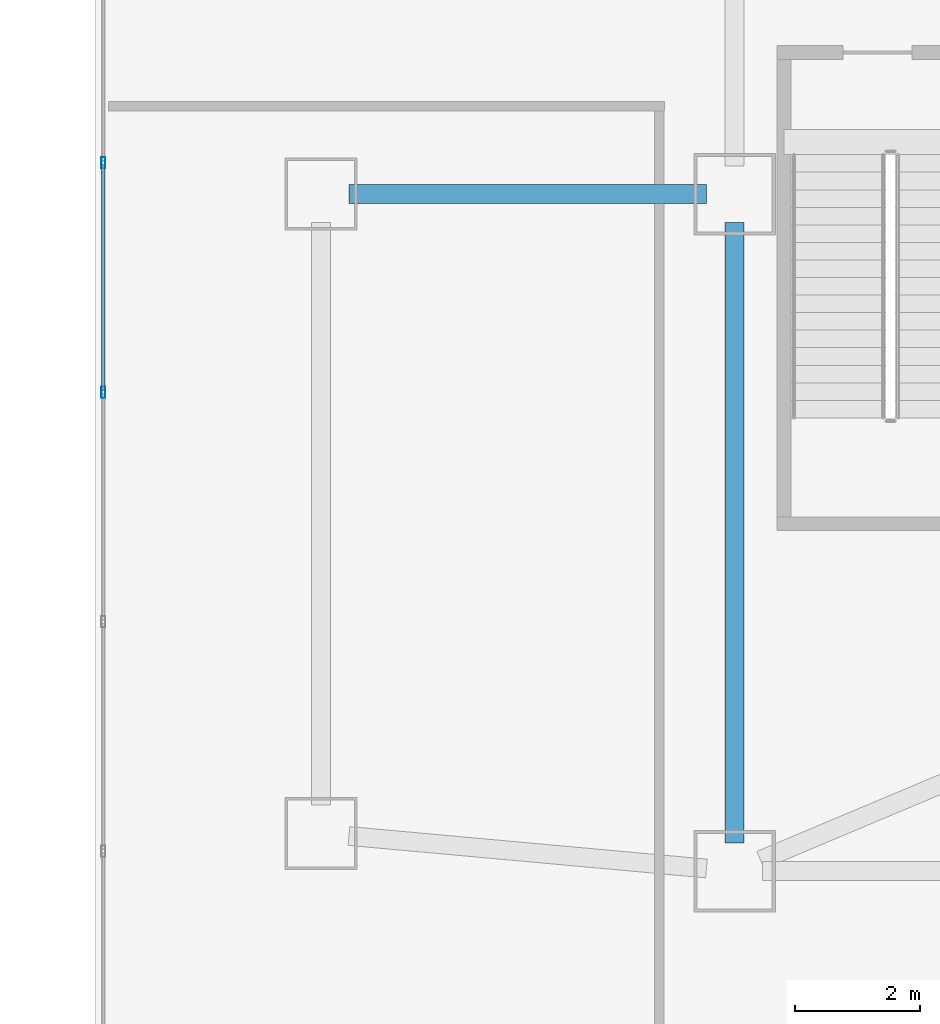
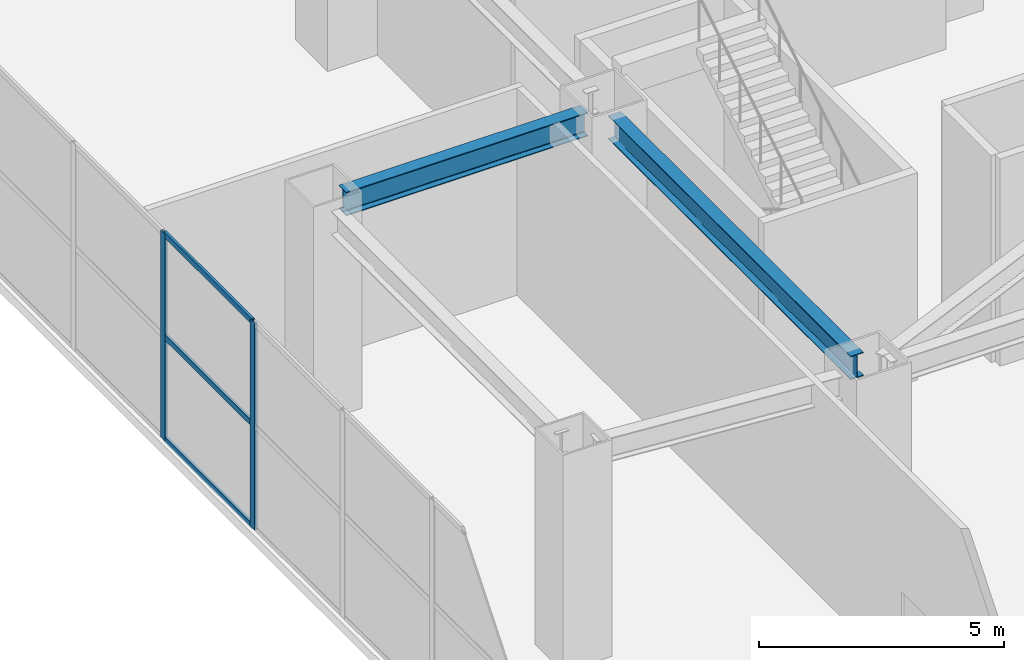
# One storey, part 8 of 37: 5 members, 2 beams, 1 element without a shape of its own.
"""IFC4 building model written with IfcOpenShell, lengths in metres."""

from ifc_helpers import new_model, si_unit, direction, frame, origin, origin_2d, place, context, subcontext, project, spatial, hollow_rectangle, i_section, extrude, material, layer, layer_set, material_profile, profile_set, type_object, element, aggregate, save


model = new_model("IFC4")

# Units and contexts
model_context = context("Model", 3, precision=1e-05, world=origin(), true_north=direction((0.0, 1.0)))
body_context = subcontext(model_context, "Body", "Model", "MODEL_VIEW")
ifc_project = project(units=[si_unit("LENGTHUNIT", "METRE"), si_unit("AREAUNIT", "SQUARE_METRE"), si_unit("VOLUMEUNIT", "CUBIC_METRE"), si_unit("PLANEANGLEUNIT", "RADIAN"), si_unit("MASSUNIT", "GRAM", prefix="KILO")], contexts=[model_context])

# Site, building, storey
site_placement = place(None, origin())
site = spatial("IfcSite", under=ifc_project, at=site_placement, CompositionType="ELEMENT")
building_placement = place(site_placement, origin())
building = spatial("IfcBuilding", under=site, at=building_placement, Name="Haolan Belvedere Tower", CompositionType="ELEMENT")
storey_placement = place(building_placement, frame((0.0, 0.0, 10.199951171875)))
storey = spatial("IfcBuildingStorey", under=building, at=storey_placement, Name="L02", CompositionType="ELEMENT", Elevation=10.199951171875)

# Beams
ifc_material_1 = material(Name="Steel Q355B", Category="steel")
ifc_material_profile_1 = material_profile(ifc_material_1, i_section(OverallWidth=0.300048828125, OverallDepth=0.587890625, WebThickness=0.011962890625, FlangeThickness=0.02001953125, FilletRadius=0.028076171875, at=origin_2d()), Name="Steel Q355B")
ifc_profile_set_1 = profile_set([ifc_material_profile_1], Name="Steel Q355B")
beam_type = type_object("IfcBeamType", Name="BM-HM588x300x12x20", PredefinedType="SPANDREL", material=ifc_profile_set_1)
beam_1_placement = place(storey_placement, frame((12.60009765625, 17.25, 4.865966796875), z_axis=(0.0, 1.0, 0.0), x_axis=(-1.0, 0.0, 0.0)))
element("IfcBeam", 1, at=beam_1_placement, inside=storey, type_object=beam_type, Name="L02 spandrel girder MC-T2-SW-MC-T2-MW", PredefinedType="SPANDREL", context=body_context, shape_type="SweptSolid", body=[
    extrude(i_section(OverallWidth=0.300048828125, OverallDepth=0.587890625, WebThickness=0.011962890625, FlangeThickness=0.02001953125, FilletRadius=0.028076171875, at=origin_2d()), origin(), (0.0, 0.0, 1.0), 9.89990234375),
])
beam_2_placement = place(storey_placement, frame((6.449951171875, 27.60009765625, 4.865966796875), z_axis=(1.0, 0.0, 0.0), x_axis=(0.0, 1.0, 0.0)))
element("IfcBeam", 2, at=beam_2_placement, inside=storey, type_object=beam_type, Name="L02 spandrel girder MC-T1-NW-MC-T2-MW", PredefinedType="SPANDREL", context=body_context, shape_type="SweptSolid", body=[
    extrude(i_section(OverallWidth=0.300048828125, OverallDepth=0.587890625, WebThickness=0.011962890625, FlangeThickness=0.02001953125, FilletRadius=0.028076171875, at=origin_2d()), origin(), (0.0, 0.0, 1.0), 5.699951171875),
])

# Curtain wall, members
ifc_material_2 = material(Name="Anodised champagne-silver aluminium 6063-T6 and Low-E glass", Category="aluminium")
ifc_layer = layer(ifc_material_2, 0.179931640625, Name="Anodised champagne-silver aluminium 6063-T6 and Low-E glass")
ifc_layer_set = layer_set([ifc_layer], Name="Anodised champagne-silver aluminium 6063-T6 and Low-E glass")
curtain_wall_type = type_object("IfcCurtainWallType", Name="CW-SYS-01", PredefinedType="NOTDEFINED", material=ifc_layer_set)
curtain_wall_placement = place(storey_placement, origin())
curtain_wall = element("IfcCurtainWall", 3, at=curtain_wall_placement, inside=storey, type_object=curtain_wall_type, Name="L02 CW-SYS-01 ribbon curtain wall 4.1", PredefinedType="NOTDEFINED")
ifc_material_3 = material(Name="Anodised aluminium 6063-T6", Category="aluminium")
ifc_material_profile_2 = material_profile(ifc_material_3, hollow_rectangle(XDim=0.06494140625, YDim=0.179931640625, WallThickness=0.00390625, at=origin_2d()), Name="Anodised aluminium 6063-T6")
ifc_profile_set_2 = profile_set([ifc_material_profile_2], Name="Anodised aluminium 6063-T6")
member_type_1 = type_object("IfcMemberType", Name="CW-SYS-01-MUL", PredefinedType="MULLION", material=ifc_profile_set_2)
member_1_placement = place(storey_placement, frame((2.530029296875, 28.1005859375, 0.0), z_axis=(0.0, 0.0, 1.0), x_axis=(1.0, 0.0, 0.0)))
member_1 = element("IfcMember", 4, at=member_1_placement, type_object=member_type_1, Name="CW-01 mullion 8", PredefinedType="MULLION", context=body_context, shape_type="SweptSolid", body=[
    extrude(hollow_rectangle(XDim=0.06494140625, YDim=0.179931640625, WallThickness=0.00390625, at=origin_2d()), origin(), (0.0, 0.0, 1.0), 5.16015625),
])
member_2_placement = place(storey_placement, frame((2.530029296875, 24.439208984375, 0.0), z_axis=(0.0, 0.0, 1.0), x_axis=(1.0, 0.0, 0.0)))
member_2 = element("IfcMember", 5, at=member_2_placement, type_object=member_type_1, Name="CW-01 mullion 9", PredefinedType="MULLION", context=body_context, shape_type="SweptSolid", body=[
    extrude(hollow_rectangle(XDim=0.06494140625, YDim=0.179931640625, WallThickness=0.00390625, at=origin_2d()), origin(), (0.0, 0.0, 1.0), 5.16015625),
])
ifc_material_profile_3 = material_profile(ifc_material_3, hollow_rectangle(XDim=0.06005859375, YDim=0.139892578125, WallThickness=0.00390625, at=origin_2d()), Name="Anodised aluminium 6063-T6")
ifc_profile_set_3 = profile_set([ifc_material_profile_3], Name="Anodised aluminium 6063-T6")
member_type_2 = type_object("IfcMemberType", Name="CW-SYS-01-TRN", PredefinedType="USERDEFINED", material=ifc_profile_set_3)
member_3_placement = place(storey_placement, frame((2.530029296875, 28.068115234375, 0.030029296875), z_axis=(0.0, -1.0, 0.0), x_axis=(1.0, 0.0, 0.0)))
member_3 = element("IfcMember", 6, at=member_3_placement, type_object=member_type_2, Name="CW-01 transom 8.1", ObjectType="TRANSOM", PredefinedType="USERDEFINED", context=body_context, shape_type="SweptSolid", body=[
    extrude(hollow_rectangle(XDim=0.06005859375, YDim=0.139892578125, WallThickness=0.00390625, at=origin_2d()), origin(), (0.0, 0.0, 1.0), 3.596435546875),
])
member_4_placement = place(storey_placement, frame((2.530029296875, 28.068115234375, 2.580078125), z_axis=(0.0, -1.0, 0.0), x_axis=(1.0, 0.0, 0.0)))
member_4 = element("IfcMember", 7, at=member_4_placement, type_object=member_type_2, Name="CW-01 transom 8.2", ObjectType="TRANSOM", PredefinedType="USERDEFINED", context=body_context, shape_type="SweptSolid", body=[
    extrude(hollow_rectangle(XDim=0.06005859375, YDim=0.139892578125, WallThickness=0.00390625, at=origin_2d()), origin(), (0.0, 0.0, 1.0), 3.596435546875),
])
member_5_placement = place(storey_placement, frame((2.530029296875, 28.068115234375, 5.130126953125), z_axis=(0.0, -1.0, 0.0), x_axis=(1.0, 0.0, 0.0)))
member_5 = element("IfcMember", 8, at=member_5_placement, type_object=member_type_2, Name="CW-01 transom 8.3", ObjectType="TRANSOM", PredefinedType="USERDEFINED", context=body_context, shape_type="SweptSolid", body=[
    extrude(hollow_rectangle(XDim=0.06005859375, YDim=0.139892578125, WallThickness=0.00390625, at=origin_2d()), origin(), (0.0, 0.0, 1.0), 3.596435546875),
])
aggregate(curtain_wall, [member_1, member_2, member_3, member_4, member_5])

save(model, "model.ifc")
